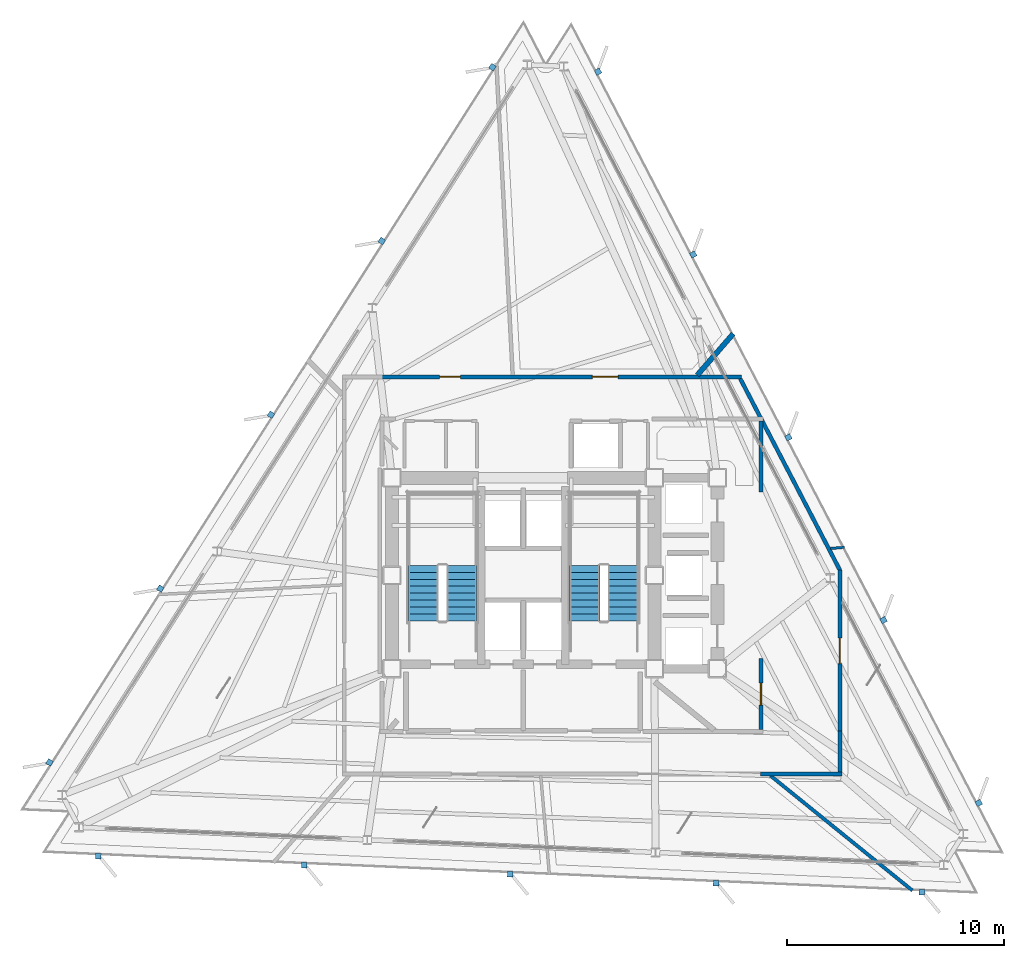
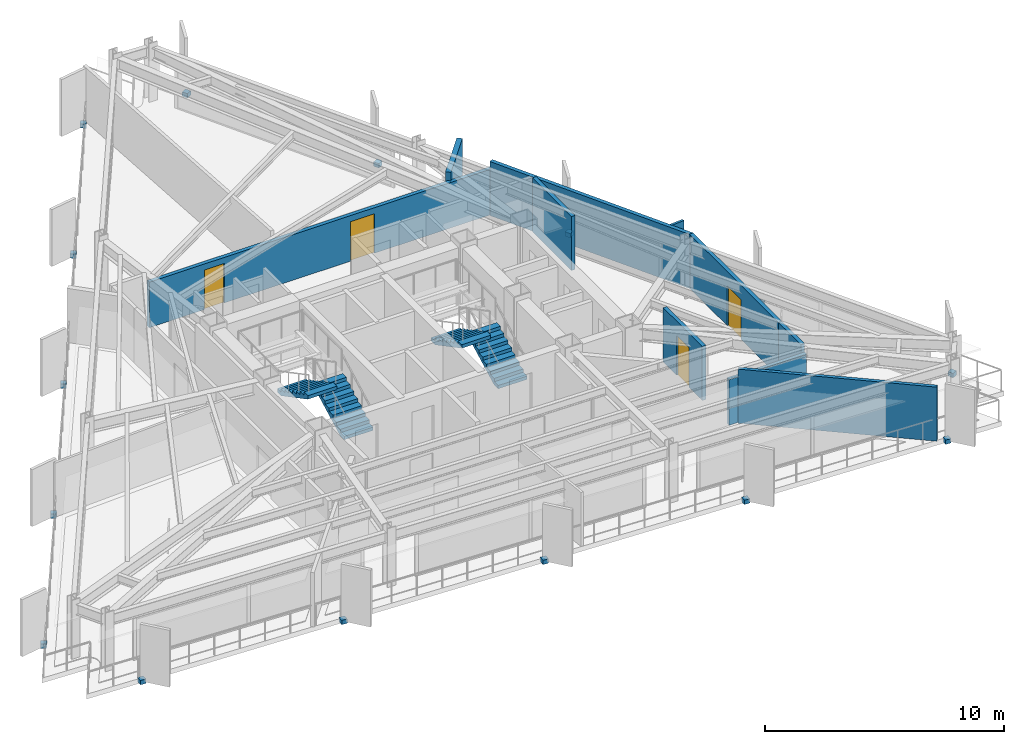
# One storey, part 9 of 12: 15 discrete accessories, 10 walls, 4 doors, 4 stair flights, 4 openings, 2 elements without a shape of their own.
"""IFC4 building model written with IfcOpenShell, lengths in metres."""

from ifc_helpers import new_model, si_unit, direction, frame, frame_2d, origin, origin_2d, place, context, subcontext, project, spatial, polyline, rectangle, outline, extrude, material, layer, layer_set, type_object, element, fill, aggregate, save


model = new_model("IFC4")

# Units and contexts
model_context = context("Model", 3, precision=1e-05, world=origin(), true_north=direction((0.0, 1.0)))
body_context = subcontext(model_context, "Body", "Model", "MODEL_VIEW")
ifc_project = project(units=[si_unit("LENGTHUNIT", "METRE"), si_unit("AREAUNIT", "SQUARE_METRE"), si_unit("VOLUMEUNIT", "CUBIC_METRE"), si_unit("PLANEANGLEUNIT", "RADIAN"), si_unit("MASSUNIT", "GRAM", prefix="KILO")], contexts=[model_context])

# Site, building, storey
site_placement = place(None, origin())
site = spatial("IfcSite", under=ifc_project, at=site_placement, CompositionType="ELEMENT")
building_placement = place(site_placement, origin())
building = spatial("IfcBuilding", under=site, at=building_placement, Name="Rocaltana Carrier Exchange", CompositionType="ELEMENT")
storey_placement = place(building_placement, frame((0.0, 0.0, 132.0)))
storey = spatial("IfcBuildingStorey", under=building, at=storey_placement, Name="L41", CompositionType="ELEMENT", Elevation=132.0)

# Wall
ifc_material_1 = material(Name="Double Acoustic Gypsum Partition", Category="gypsum")
ifc_layer_1 = layer(ifc_material_1, 0.159912109375)
ifc_layer_set_1 = layer_set([ifc_layer_1], Name="Double Acoustic Gypsum Partition")
wall_type_1 = type_object("IfcWallType", Name="Acoustic Studio Partition 160 EI60", PredefinedType="PARTITIONING", material=ifc_layer_set_1)
wall_1_placement = place(storey_placement, frame((11.398193359375, -9.22998046875, 0.0), z_axis=(0.0, 0.0, 1.0), x_axis=(0.777150974354, -0.629314200588, 0.0)))
element("IfcWall", 1, at=wall_1_placement, inside=storey, type_object=wall_type_1, Name="L41 Suite Divider Wall D6", PredefinedType="PARTITIONING", context=body_context, shape_type="SweptSolid", body=[
    extrude(rectangle(XDim=8.417236328125, YDim=0.159912109375, at=frame_2d((4.20849609375, 0.0))), origin(), (0.0, 0.0, 1.0), 2.762939453125),
])

# Wall, openings, doors
ifc_material_2 = material(Name="Gypsum & Steel Stud Partition", Category="steel")
ifc_layer_2 = layer(ifc_material_2, 0.179931640625)
ifc_layer_set_2 = layer_set([ifc_layer_2], Name="Gypsum & Steel Stud Partition")
wall_type_2 = type_object("IfcWallType", Name="Corridor Fire Partition 180 EI60", PredefinedType="PARTITIONING", material=ifc_layer_set_2)
wall_2_placement = place(storey_placement, frame((-6.52001953125, 9.14990234375, 0.0), z_axis=(0.0, 0.0, 1.0), x_axis=(1.0, 0.0, 0.0)))
wall_2 = element("IfcWall", 2, at=wall_2_placement, inside=storey, type_object=wall_type_2, Name="L41 Corridor Partition 6", PredefinedType="PARTITIONING", context=body_context, shape_type="SweptSolid", body=[
    extrude(rectangle(XDim=16.571533203125, YDim=0.179931640625, at=frame_2d((8.28564453125, 0.0))), origin(), (0.0, 0.0, 1.0), 2.330078125),
])
opening_1_placement = place(wall_2_placement, frame((9.7138671875, 0.0, 0.0)))
opening_1 = element("IfcOpeningElement", 3, at=opening_1_placement, cuts=wall_2, Name="Opening D-SU120", PredefinedType="OPENING", context=body_context, shape_type="SweptSolid", body=[
    extrude(rectangle(XDim=1.179931640625, YDim=2.02001953125, at=frame_2d((0.58984375, 1.010009765625))), frame((0.0, 0.099853515625, 0.0), z_axis=(0.0, -1.0, 0.0), x_axis=(1.0, 0.0, 0.0)), (0.0, 0.0, 1.0), 0.199951171875),
])
opening_2_placement = place(wall_2_placement, frame((2.66845703125, 0.0, 0.0)))
opening_2 = element("IfcOpeningElement", 4, at=opening_2_placement, cuts=wall_2, Name="Opening D-RM098", PredefinedType="OPENING", context=body_context, shape_type="SweptSolid", body=[
    extrude(rectangle(XDim=0.9599609375, YDim=2.02001953125, at=frame_2d((0.47998046875, 1.010009765625))), frame((0.0, 0.099853515625, 0.0), z_axis=(0.0, -1.0, 0.0), x_axis=(1.0, 0.0, 0.0)), (0.0, 0.0, 1.0), 0.199951171875),
])
ifc_material_3 = material(Name="Engineered Hardwood Timber", Category="wood")
door_type_1 = type_object("IfcDoorType", Name="Suite Double Entrance Door 1180x2020", OperationType="NOTDEFINED", PredefinedType="DOOR", material=ifc_material_3)
door_1_placement = place(opening_1_placement, origin())
door_1 = element("IfcDoor", 5, at=door_1_placement, inside=storey, type_object=door_type_1, Name="L41 Carrier Peering Suite Entrance Door", OperationType="SINGLE_SWING_RIGHT", OverallHeight=2.02001953125, OverallWidth=1.179931640625, PredefinedType="DOOR", context=body_context, shape_type="SweptSolid", body=[
    extrude(rectangle(XDim=1.179931640625, YDim=2.02001953125, at=frame_2d((0.58984375, 1.010009765625))), frame((0.0, 0.02490234375, 0.0), z_axis=(0.0, -1.0, 0.0), x_axis=(1.0, 0.0, 0.0)), (0.0, 0.0, 1.0), 0.050048828125),
])
fill(opening_1, door_1)
ifc_material_4 = material(Name="Engineered Hardwood Timber", Category="wood")
door_type_2 = type_object("IfcDoorType", Name="Workspace Single Door 960x2020", OperationType="NOTDEFINED", PredefinedType="DOOR", material=ifc_material_4)
door_2_placement = place(opening_2_placement, origin())
door_2 = element("IfcDoor", 6, at=door_2_placement, inside=storey, type_object=door_type_2, Name="L41 Quiet Focus Lounge Entrance Door", OperationType="SINGLE_SWING_LEFT", OverallHeight=2.02001953125, OverallWidth=0.9599609375, PredefinedType="DOOR", context=body_context, shape_type="SweptSolid", body=[
    extrude(rectangle(XDim=0.9599609375, YDim=2.02001953125, at=frame_2d((0.47998046875, 1.010009765625))), frame((0.0, 0.02490234375, 0.0), z_axis=(0.0, -1.0, 0.0), x_axis=(1.0, 0.0, 0.0)), (0.0, 0.0, 1.0), 0.050048828125),
])
fill(opening_2, door_2)

# Wall
wall_3_placement = place(storey_placement, frame((10.0029296875, 9.0703125, 0.0), z_axis=(0.0, 0.0, 1.0), x_axis=(0.461740291408, -0.887015165198, 0.0)))
element("IfcWall", 7, at=wall_3_placement, inside=storey, type_object=wall_type_2, Name="L41 Corridor Partition 7", PredefinedType="PARTITIONING", context=body_context, shape_type="SweptSolid", body=[
    extrude(rectangle(XDim=9.975830078125, YDim=0.179931640625, at=frame_2d((4.98779296875, 0.0))), origin(), (0.0, 0.0, 1.0), 2.762939453125),
])

# Wall, opening, door
wall_4_placement = place(storey_placement, frame((14.60009765625, 0.259521484375, 0.0), z_axis=(0.0, 0.0, 1.0), x_axis=(0.0, -1.0, 0.0)))
wall_4 = element("IfcWall", 8, at=wall_4_placement, inside=storey, type_object=wall_type_2, Name="L41 Corridor Partition 8", PredefinedType="PARTITIONING", context=body_context, shape_type="SweptSolid", body=[
    extrude(rectangle(XDim=7.4794921875, YDim=0.179931640625, at=frame_2d((3.73974609375, 0.0))), origin(), (0.0, 0.0, 1.0), 2.762939453125),
])
opening_3_placement = place(wall_4_placement, frame((3.149658203125, 0.0, 0.0)))
opening_3 = element("IfcOpeningElement", 9, at=opening_3_placement, cuts=wall_4, Name="Opening D-SU120", PredefinedType="OPENING", context=body_context, shape_type="SweptSolid", body=[
    extrude(rectangle(XDim=1.179931640625, YDim=2.02001953125, at=frame_2d((0.58984375, 1.010009765625))), frame((0.0, 0.099853515625, 0.0), z_axis=(0.0, -1.0, 0.0), x_axis=(1.0, 0.0, 0.0)), (0.0, 0.0, 1.0), 0.199951171875),
])
door_3_placement = place(opening_3_placement, origin())
door_3 = element("IfcDoor", 10, at=door_3_placement, inside=storey, type_object=door_type_1, Name="L41 Carrier Peering Suite Entrance Door", OperationType="SINGLE_SWING_RIGHT", OverallHeight=2.02001953125, OverallWidth=1.179931640625, PredefinedType="DOOR", context=body_context, shape_type="SweptSolid", body=[
    extrude(rectangle(XDim=1.179931640625, YDim=2.02001953125, at=frame_2d((0.58984375, 1.010009765625))), frame((0.0, 0.02490234375, 0.0), z_axis=(0.0, -1.0, 0.0), x_axis=(1.0, 0.0, 0.0)), (0.0, 0.0, 1.0), 0.050048828125),
])
fill(opening_3, door_3)

# Walls
wall_5_placement = place(storey_placement, frame((14.60009765625, -7.179931640625, 0.0), z_axis=(0.0, 0.0, 1.0), x_axis=(0.0, -1.0, 0.0)))
element("IfcWall", 11, at=wall_5_placement, inside=storey, type_object=wall_type_2, Name="L41 Corridor Partition 9", PredefinedType="PARTITIONING", context=body_context, shape_type="SweptSolid", body=[
    extrude(rectangle(XDim=1.880126953125, YDim=0.179931640625, at=frame_2d((0.93994140625, 0.0))), origin(), (0.0, 0.0, 1.0), 2.762939453125),
])
wall_6_placement = place(storey_placement, frame((14.68994140625, -9.14990234375, 0.0), z_axis=(0.0, 0.0, 1.0), x_axis=(-1.0, 0.0, 0.0)))
element("IfcWall", 12, at=wall_6_placement, inside=storey, type_object=wall_type_2, Name="L41 Corridor Partition 10", PredefinedType="PARTITIONING", context=body_context, shape_type="SweptSolid", body=[
    extrude(rectangle(XDim=3.75, YDim=0.179931640625, at=frame_2d((1.875, 0.0))), origin(), (0.0, 0.0, 1.0), 2.330078125),
])

# Wall, opening, door
wall_7_placement = place(storey_placement, frame((10.9599609375, -7.110107421875, 0.0), z_axis=(0.0, 0.0, 1.0), x_axis=(0.0, 1.0, 0.0)))
wall_7 = element("IfcWall", 13, at=wall_7_placement, inside=storey, type_object=wall_type_2, Name="L41 Corridor Partition 13", PredefinedType="PARTITIONING", context=body_context, shape_type="SweptSolid", body=[
    extrude(rectangle(XDim=3.2705078125, YDim=0.179931640625, at=frame_2d((1.63525390625, 0.0))), origin(), (0.0, 0.0, 1.0), 2.762939453125),
])
opening_4_placement = place(wall_7_placement, frame((1.125244140625, 0.0, 0.0)))
opening_4 = element("IfcOpeningElement", 14, at=opening_4_placement, cuts=wall_7, Name="Opening D-LB104", PredefinedType="OPENING", context=body_context, shape_type="SweptSolid", body=[
    extrude(rectangle(XDim=1.02001953125, YDim=2.02001953125, at=frame_2d((0.510009765625, 1.010009765625))), frame((0.0, 0.099853515625, 0.0), z_axis=(0.0, -1.0, 0.0), x_axis=(1.0, 0.0, 0.0)), (0.0, 0.0, 1.0), 0.199951171875),
])
ifc_material_5 = material(Name="Powder-Coated Aluminium 6063-T6", Category="aluminium")
door_type_3 = type_object("IfcDoorType", Name="Laboratory Acoustic Door 1020x2020", OperationType="NOTDEFINED", PredefinedType="DOOR", material=ifc_material_5)
door_4_placement = place(opening_4_placement, origin())
door_4 = element("IfcDoor", 15, at=door_4_placement, inside=storey, type_object=door_type_3, Name="L41 Optical Switching Laboratory Entrance Door", OperationType="SINGLE_SWING_LEFT", OverallHeight=2.02001953125, OverallWidth=1.02001953125, PredefinedType="DOOR", context=body_context, shape_type="SweptSolid", body=[
    extrude(rectangle(XDim=1.02001953125, YDim=2.02001953125, at=frame_2d((0.510009765625, 1.010009765625))), frame((0.0, 0.02490234375, 0.0), z_axis=(0.0, -1.0, 0.0), x_axis=(1.0, 0.0, 0.0)), (0.0, 0.0, 1.0), 0.050048828125),
])
fill(opening_4, door_4)

# Walls
wall_8_placement = place(storey_placement, frame((10.9599609375, 3.839599609375, 0.0), z_axis=(0.0, 0.0, 1.0), x_axis=(0.0, 1.0, 0.0)))
element("IfcWall", 16, at=wall_8_placement, inside=storey, type_object=wall_type_2, Name="L41 Corridor Partition 14", PredefinedType="PARTITIONING", context=body_context, shape_type="SweptSolid", body=[
    extrude(rectangle(XDim=3.2705078125, YDim=0.179931640625, at=frame_2d((1.63525390625, 0.0))), origin(), (0.0, 0.0, 1.0), 2.762939453125),
])
ifc_material_6 = material(Name="Aluminium 6063-T6 & Acoustic Glass", Category="aluminium")
ifc_layer_3 = layer(ifc_material_6, 0.114990234375)
ifc_layer_set_3 = layer_set([ifc_layer_3], Name="Aluminium 6063-T6 & Acoustic Glass")
wall_type_3 = type_object("IfcWallType", Name="Demountable Glazed Lab Partition 115", PredefinedType="MOVABLE", material=ifc_layer_set_3)
wall_9_placement = place(storey_placement, frame((14.16943359375, 1.23974609375, 0.0), z_axis=(0.0, 0.0, 1.0), x_axis=(0.996194547312, 0.08715746615, 0.0)))
element("IfcWall", 17, at=wall_9_placement, inside=storey, type_object=wall_type_3, Name="L41 Suite Divider Wall D7", PredefinedType="MOVABLE", context=body_context, shape_type="SweptSolid", body=[
    extrude(rectangle(XDim=0.638671875, YDim=0.114990234375, at=frame_2d((0.3193359375, 0.0))), origin(), (0.0, 0.0, 1.0), 2.762939453125),
])
ifc_material_7 = material(Name="Acoustic Calcium Silicate Partition", Category="gypsum")
ifc_layer_4 = layer(ifc_material_7, 0.239990234375)
ifc_layer_set_4 = layer_set([ifc_layer_4], Name="Acoustic Calcium Silicate Partition")
wall_type_4 = type_object("IfcWallType", Name="Heavy Lab Partition 240 EI90", PredefinedType="PARTITIONING", material=ifc_layer_set_4)
wall_10_placement = place(storey_placement, frame((8.0234375, 9.22998046875, 0.0), z_axis=(0.0, 0.0, 1.0), x_axis=(0.656032852837, 0.754732334009, 0.0)))
element("IfcWall", 18, at=wall_10_placement, inside=storey, type_object=wall_type_4, Name="L41 Suite Divider Wall D8", PredefinedType="PARTITIONING", context=body_context, shape_type="SweptSolid", body=[
    extrude(rectangle(XDim=2.528076171875, YDim=0.239990234375, at=frame_2d((1.26416015625, 0.0))), origin(), (0.0, 0.0, 1.0), 2.762939453125),
])

# Stair, stair flights
ifc_material_8 = material(Name="Precast concrete C45/55", Category="concrete")
stair_type = type_object("IfcStairType", Name="Standard Dog-Leg Stair 160", PredefinedType="HALF_TURN_STAIR", material=ifc_material_8)
stair_1_placement = place(storey_placement, origin())
stair_1 = element("IfcStair", 19, at=stair_1_placement, inside=storey, type_object=stair_type, Name="L41 Core West Exit Stair ST-1", PredefinedType="HALF_TURN_STAIR")
ifc_material_9 = material(Name="Precast concrete C45/55", Category="concrete")
stair_flight_type = type_object("IfcStairFlightType", Name="Precast Stair Flight 160", PredefinedType="STRAIGHT", material=ifc_material_9)
stair_flight_1_placement = place(storey_placement, frame((-2.840087890625, -2.10009765625, 0.0), z_axis=(0.0, 0.0, 1.0), x_axis=(0.0, 1.0, 0.0)))
stair_flight_1 = element("IfcStairFlight", 20, at=stair_flight_1_placement, type_object=stair_flight_type, Name="ST-1 flight 1", NumberOfRisers=9, NumberOfTreads=8, PredefinedType="STRAIGHT", RiserHeight=0.168888889, TreadLength=0.32, context=body_context, shape_type="SweptSolid", body=[
    extrude(outline(polyline([(0.0, 0.0), (0.0, 0.1689453125), (0.320068359375, 0.1689453125), (0.320068359375, 0.337890625), (0.639892578125, 0.337890625), (0.639892578125, 0.506591796875), (0.9599609375, 0.506591796875), (0.9599609375, 0.675537109375), (1.280029296875, 0.675537109375), (1.280029296875, 0.844482421875), (1.60009765625, 0.844482421875), (1.60009765625, 1.013427734375), (1.919921875, 1.013427734375), (1.919921875, 1.18212890625), (2.239990234375, 1.18212890625), (2.239990234375, 1.35107421875), (2.56005859375, 1.35107421875), (2.56005859375, 1.52001953125), (2.56005859375, 1.17041015625), (0.342529296875, 0.0), (0.0, 0.0)])), frame((0.0, 0.699951171875, 0.0), z_axis=(0.0, -1.0, 0.0), x_axis=(1.0, 0.0, 0.0)), (0.0, 0.0, 1.0), 1.39990234375),
])
stair_flight_2_placement = place(storey_placement, frame((-4.60009765625, 0.4599609375, 1.52001953125), z_axis=(0.0, 0.0, 1.0), x_axis=(0.0, -1.0, 0.0)))
stair_flight_2 = element("IfcStairFlight", 21, at=stair_flight_2_placement, type_object=stair_flight_type, Name="ST-1 flight 2", NumberOfRisers=9, NumberOfTreads=8, PredefinedType="STRAIGHT", RiserHeight=0.168888889, TreadLength=0.32, context=body_context, shape_type="SweptSolid", body=[
    extrude(outline(polyline([(0.0, 0.0), (0.0, 0.1689453125), (0.320068359375, 0.1689453125), (0.320068359375, 0.337890625), (0.639892578125, 0.337890625), (0.639892578125, 0.506591796875), (0.9599609375, 0.506591796875), (0.9599609375, 0.675537109375), (1.280029296875, 0.675537109375), (1.280029296875, 0.844482421875), (1.60009765625, 0.844482421875), (1.60009765625, 1.013427734375), (1.919921875, 1.013427734375), (1.919921875, 1.18212890625), (2.239990234375, 1.18212890625), (2.239990234375, 1.35107421875), (2.56005859375, 1.35107421875), (2.56005859375, 1.52001953125), (2.56005859375, 1.17041015625), (0.342529296875, 0.0), (0.0, 0.0)])), frame((0.0, 0.699951171875, 0.0), z_axis=(0.0, -1.0, 0.0), x_axis=(1.0, 0.0, 0.0)), (0.0, 0.0, 1.0), 1.39990234375),
])
aggregate(stair_1, [stair_flight_1, stair_flight_2])

stair_2_placement = place(storey_placement, origin())
stair_2 = element("IfcStair", 22, at=stair_2_placement, inside=storey, type_object=stair_type, Name="L41 Core East Exit Stair ST-2", PredefinedType="HALF_TURN_STAIR")
stair_flight_3_placement = place(storey_placement, frame((4.60009765625, -2.10009765625, 0.0), z_axis=(0.0, 0.0, 1.0), x_axis=(0.0, 1.0, 0.0)))
stair_flight_3 = element("IfcStairFlight", 23, at=stair_flight_3_placement, type_object=stair_flight_type, Name="ST-2 flight 1", NumberOfRisers=9, NumberOfTreads=8, PredefinedType="STRAIGHT", RiserHeight=0.168888889, TreadLength=0.32, context=body_context, shape_type="SweptSolid", body=[
    extrude(outline(polyline([(0.0, 0.0), (0.0, 0.1689453125), (0.320068359375, 0.1689453125), (0.320068359375, 0.337890625), (0.639892578125, 0.337890625), (0.639892578125, 0.506591796875), (0.9599609375, 0.506591796875), (0.9599609375, 0.675537109375), (1.280029296875, 0.675537109375), (1.280029296875, 0.844482421875), (1.60009765625, 0.844482421875), (1.60009765625, 1.013427734375), (1.919921875, 1.013427734375), (1.919921875, 1.18212890625), (2.239990234375, 1.18212890625), (2.239990234375, 1.35107421875), (2.56005859375, 1.35107421875), (2.56005859375, 1.52001953125), (2.56005859375, 1.17041015625), (0.342529296875, 0.0), (0.0, 0.0)])), frame((0.0, 0.699951171875, 0.0), z_axis=(0.0, -1.0, 0.0), x_axis=(1.0, 0.0, 0.0)), (0.0, 0.0, 1.0), 1.39990234375),
])
stair_flight_4_placement = place(storey_placement, frame((2.840087890625, 0.4599609375, 1.52001953125), z_axis=(0.0, 0.0, 1.0), x_axis=(0.0, -1.0, 0.0)))
stair_flight_4 = element("IfcStairFlight", 24, at=stair_flight_4_placement, type_object=stair_flight_type, Name="ST-2 flight 2", NumberOfRisers=9, NumberOfTreads=8, PredefinedType="STRAIGHT", RiserHeight=0.168888889, TreadLength=0.32, context=body_context, shape_type="SweptSolid", body=[
    extrude(outline(polyline([(0.0, 0.0), (0.0, 0.1689453125), (0.320068359375, 0.1689453125), (0.320068359375, 0.337890625), (0.639892578125, 0.337890625), (0.639892578125, 0.506591796875), (0.9599609375, 0.506591796875), (0.9599609375, 0.675537109375), (1.280029296875, 0.675537109375), (1.280029296875, 0.844482421875), (1.60009765625, 0.844482421875), (1.60009765625, 1.013427734375), (1.919921875, 1.013427734375), (1.919921875, 1.18212890625), (2.239990234375, 1.18212890625), (2.239990234375, 1.35107421875), (2.56005859375, 1.35107421875), (2.56005859375, 1.52001953125), (2.56005859375, 1.17041015625), (0.342529296875, 0.0), (0.0, 0.0)])), frame((0.0, 0.699951171875, 0.0), z_axis=(0.0, -1.0, 0.0), x_axis=(1.0, 0.0, 0.0)), (0.0, 0.0, 1.0), 1.39990234375),
])
aggregate(stair_2, [stair_flight_3, stair_flight_4])

# Discrete accessories
ifc_material_10 = material(Name="Brushed Architectural Stainless Metal", Category="steel")
ifc_layer_5 = layer(ifc_material_10, 0.219970703125)
ifc_layer_set_5 = layer_set([ifc_layer_5], Name="Brushed Architectural Stainless Metal")
discrete_accessory_type = type_object("IfcDiscreteAccessoryType", Name="Stainless Fin Slab-Edge Bracket 260x260x220", PredefinedType="BRACKET", material=ifc_layer_set_5)
for number, where, z_axis, x_axis, name in (
    (25, (20.9970703125, -10.489990234375, -0.2099609375), (0.0, 0.0, 1.0), (-0.461748613235, 0.887010833178, 0.0), "L41 Sandstone Fin Edge Bracket F1-01"),
    (26, (16.610595703125, -2.063232421875, -0.2099609375), (0.0, 0.0, 1.0), (-0.461748613235, 0.887010833178, 0.0), "L41 Sandstone Fin Edge Bracket F1-02"),
    (27, (12.223876953125, 6.36328125, -0.2099609375), (0.0, 0.0, 1.0), (-0.461748613235, 0.887010833178, 0.0), "L41 Sandstone Fin Edge Bracket F1-03"),
    (28, (7.837158203125, 14.789794921875, -0.2099609375), (0.0, 0.0, 1.0), (-0.461748613235, 0.887010833178, 0.0), "L41 Sandstone Fin Edge Bracket F1-04"),
    (29, (3.45068359375, 23.216552734375, -0.2099609375), (0.0, 0.0, 1.0), (-0.461748613235, 0.887010833178, 0.0), "L41 Sandstone Fin Edge Bracket F1-05"),
    (30, (-1.4140625, 23.428955078125, -0.2099609375), (0.0, 0.0, 1.0), (-0.537299608347, -0.843391445813, 0.0), "L41 Sandstone Fin Edge Bracket F2-01"),
    (31, (-6.518310546875, 15.416748046875, -0.2099609375), (0.0, 0.0, 1.0), (-0.537299608347, -0.843391445813, 0.0), "L41 Sandstone Fin Edge Bracket F2-02"),
    (32, (-11.622802734375, 7.404541015625, -0.2099609375), (0.0, 0.0, 1.0), (-0.537299608347, -0.843391445813, 0.0), "L41 Sandstone Fin Edge Bracket F2-03"),
    (33, (-16.72705078125, -0.607666015625, -0.2099609375), (0.0, 0.0, 1.0), (-0.537299608347, -0.843391445813, 0.0), "L41 Sandstone Fin Edge Bracket F2-04"),
    (34, (-21.831298828125, -8.619873046875, -0.2099609375), (0.0, 0.0, 1.0), (-0.537299608347, -0.843391445813, 0.0), "L41 Sandstone Fin Edge Bracket F2-05"),
    (35, (-19.5830078125, -12.939208984375, -0.2099609375), (0.0, 0.0, 1.0), (0.999048221582, -0.043619387365, 0.0), "L41 Sandstone Fin Edge Bracket F3-01"),
    (36, (-10.092041015625, -13.353515625, -0.2099609375), (0.0, 0.0, 1.0), (0.999048221582, -0.043619387365, 0.0), "L41 Sandstone Fin Edge Bracket F3-02"),
    (37, (-0.60107421875, -13.767822265625, -0.2099609375), (0.0, 0.0, 1.0), (0.999048221582, -0.043619387365, 0.0), "L41 Sandstone Fin Edge Bracket F3-03"),
    (38, (8.889892578125, -14.18212890625, -0.2099609375), (0.0, 0.0, 1.0), (0.999048221582, -0.043619387365, 0.0), "L41 Sandstone Fin Edge Bracket F3-04"),
    (39, (18.380859375, -14.5966796875, -0.2099609375), (0.0, 0.0, 1.0), (0.999048221582, -0.043619387365, 0.0), "L41 Sandstone Fin Edge Bracket F3-05"),
):
    element("IfcDiscreteAccessory", number, at=place(storey_placement, frame(where, z_axis=z_axis, x_axis=x_axis)), inside=storey, type_object=discrete_accessory_type, Name=name, PredefinedType="BRACKET", context=body_context, shape_type="SweptSolid", body=[
        extrude(rectangle(XDim=0.260009765625, YDim=0.260009765625, at=origin_2d()), origin(), (0.0, 0.0, 1.0), 0.219970703125),
    ])

save(model, "model.ifc")
